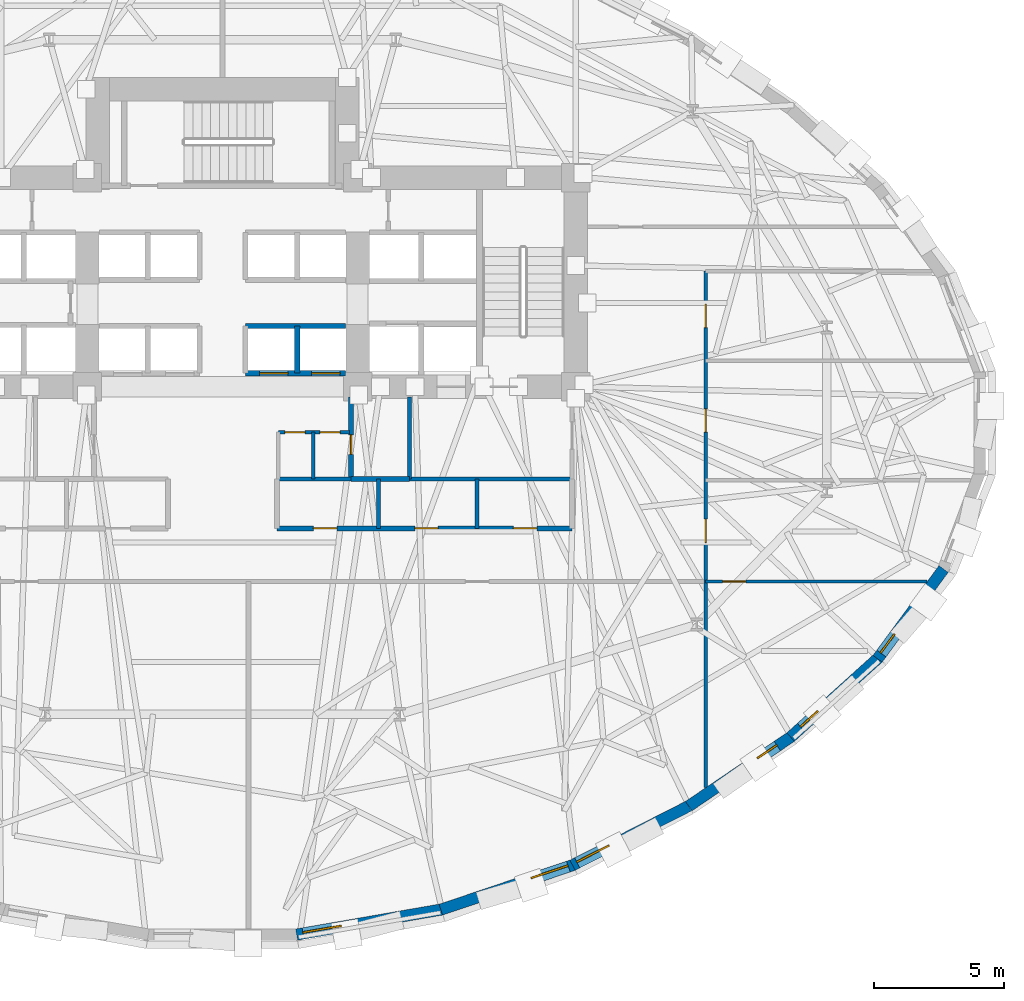
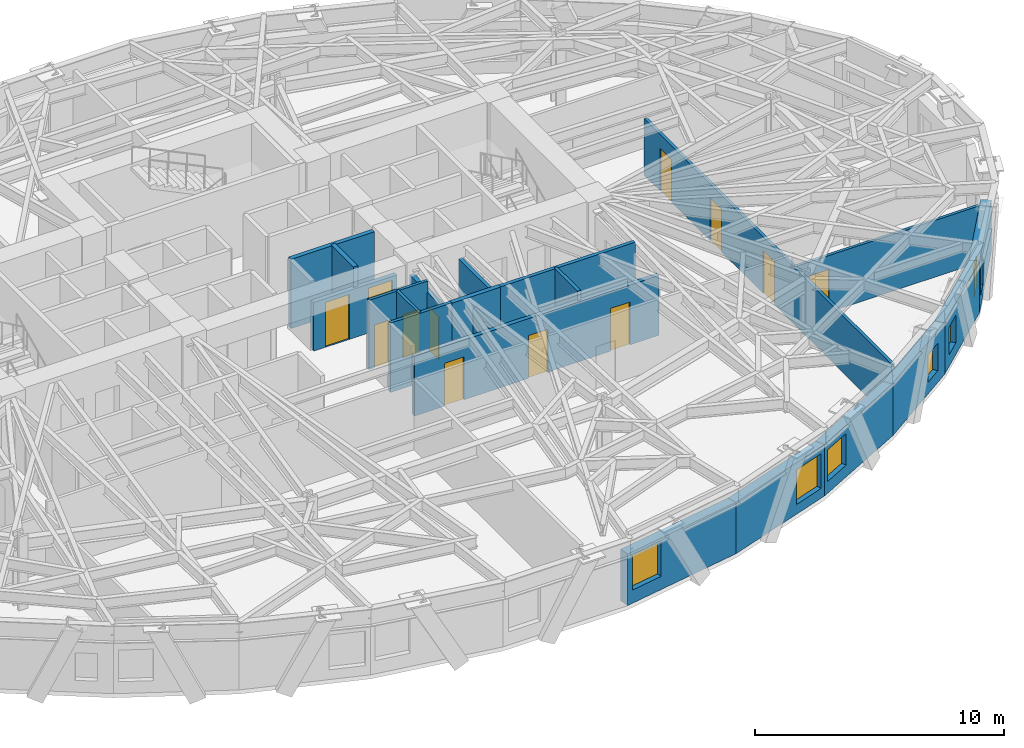
# One storey, part 8 of 14: 21 walls, 12 doors, 6 windows, 18 openings.
"""IFC4 building model written with IfcOpenShell, lengths in metres."""

from ifc_helpers import new_model, si_unit, direction, frame, frame_2d, origin, place, context, subcontext, project, spatial, rectangle, extrude, material, layer, layer_set, type_object, element, fill, save


model = new_model("IFC4")

# Units and contexts
model_context = context("Model", 3, precision=1e-05, world=origin(), true_north=direction((0.0, 1.0)))
body_context = subcontext(model_context, "Body", "Model", "MODEL_VIEW")
ifc_project = project(units=[si_unit("LENGTHUNIT", "METRE"), si_unit("AREAUNIT", "SQUARE_METRE"), si_unit("VOLUMEUNIT", "CUBIC_METRE"), si_unit("PLANEANGLEUNIT", "RADIAN"), si_unit("MASSUNIT", "GRAM", prefix="KILO")], contexts=[model_context])

# Site, building, storey
site_placement = place(None, origin())
site = spatial("IfcSite", under=ifc_project, at=site_placement, CompositionType="ELEMENT")
building_placement = place(site_placement, origin())
building = spatial("IfcBuilding", under=site, at=building_placement, Name="Keldmark Tower", CompositionType="ELEMENT")
storey_placement = place(building_placement, frame((0.0, 0.0, 63.0)))
storey = spatial("IfcBuildingStorey", under=building, at=storey_placement, Name="L16", CompositionType="ELEMENT", Elevation=63.0)

# Wall, openings, doors
ifc_material_1 = material(Name="Acoustic Double-Layer Gypsum Corridor Partition", Category="gypsum")
ifc_layer_1 = layer(ifc_material_1, 0.139892578125)
ifc_layer_set_1 = layer_set([ifc_layer_1], Name="Acoustic Double-Layer Gypsum Corridor Partition")
wall_type_1 = type_object("IfcWallType", Name="Acoustic Corridor Partition 140 mm", PredefinedType="PARTITIONING", material=ifc_layer_set_1)
wall_1_placement = place(storey_placement, frame((18.60009765625, -14.025390625, 0.0), z_axis=(0.0, 0.0, 1.0), x_axis=(0.0, 1.0, 0.0)))
wall_1 = element("IfcWall", 1, at=wall_1_placement, inside=storey, type_object=wall_type_1, Name="L16 Acoustic Corridor Partition 140 mm COR-E", PredefinedType="PARTITIONING", context=body_context, shape_type="SweptSolid", body=[
    extrude(rectangle(XDim=19.87548828125, YDim=0.139892578125, at=frame_2d((9.937744140625, 0.0))), origin(), (0.0, 0.0, 1.0), 2.779052734375),
])
opening_1_placement = place(wall_1_placement, frame((9.425537109375, 0.0, 0.0)))
opening_1 = element("IfcOpeningElement", 2, at=opening_1_placement, cuts=wall_1, Name="Opening D-IN090", PredefinedType="OPENING", context=body_context, shape_type="SweptSolid", body=[
    extrude(rectangle(XDim=0.89990234375, YDim=2.10009765625, at=frame_2d((0.449951171875, 1.050048828125))), frame((0.0, 0.079833984375, 0.0), z_axis=(0.0, -1.0, 0.0), x_axis=(1.0, 0.0, 0.0)), (0.0, 0.0, 1.0), 0.159912109375),
])
opening_2_placement = place(wall_1_placement, frame((13.675537109375, 0.0, 0.0)))
opening_2 = element("IfcOpeningElement", 3, at=opening_2_placement, cuts=wall_1, Name="Opening D-IN090", PredefinedType="OPENING", context=body_context, shape_type="SweptSolid", body=[
    extrude(rectangle(XDim=0.89990234375, YDim=2.10009765625, at=frame_2d((0.449951171875, 1.050048828125))), frame((0.0, 0.079833984375, 0.0), z_axis=(0.0, -1.0, 0.0), x_axis=(1.0, 0.0, 0.0)), (0.0, 0.0, 1.0), 0.159912109375),
])
opening_3_placement = place(wall_1_placement, frame((17.70068359375, 0.0, 0.0)))
opening_3 = element("IfcOpeningElement", 4, at=opening_3_placement, cuts=wall_1, Name="Opening D-IN090", PredefinedType="OPENING", context=body_context, shape_type="SweptSolid", body=[
    extrude(rectangle(XDim=0.89990234375, YDim=2.10009765625, at=frame_2d((0.449951171875, 1.050048828125))), frame((0.0, 0.079833984375, 0.0), z_axis=(0.0, -1.0, 0.0), x_axis=(1.0, 0.0, 0.0)), (0.0, 0.0, 1.0), 0.159912109375),
])
ifc_material_2 = material(Name="Stained American White Oak Veneer", Category="wood")
door_type_1 = type_object("IfcDoorType", Name="Interior Door 900x2100", OperationType="NOTDEFINED", PredefinedType="DOOR", material=ifc_material_2)
door_1_placement = place(opening_1_placement, origin())
door_1 = element("IfcDoor", 5, at=door_1_placement, inside=storey, type_object=door_type_1, Name="L16 Interior Door 900x2100 D-ER-1-L16", OperationType="SINGLE_SWING_RIGHT", OverallHeight=2.10009765625, OverallWidth=0.89990234375, PredefinedType="DOOR", context=body_context, shape_type="SweptSolid", body=[
    extrude(rectangle(XDim=0.89990234375, YDim=2.10009765625, at=frame_2d((0.449951171875, 1.050048828125))), frame((0.0, 0.02490234375, 0.0), z_axis=(0.0, -1.0, 0.0), x_axis=(1.0, 0.0, 0.0)), (0.0, 0.0, 1.0), 0.050048828125),
])
fill(opening_1, door_1)
door_2_placement = place(opening_2_placement, origin())
door_2 = element("IfcDoor", 6, at=door_2_placement, inside=storey, type_object=door_type_1, Name="L16 Interior Door 900x2100 D-ER-2-L16", OperationType="SINGLE_SWING_LEFT", OverallHeight=2.10009765625, OverallWidth=0.89990234375, PredefinedType="DOOR", context=body_context, shape_type="SweptSolid", body=[
    extrude(rectangle(XDim=0.89990234375, YDim=2.10009765625, at=frame_2d((0.449951171875, 1.050048828125))), frame((0.0, 0.02490234375, 0.0), z_axis=(0.0, -1.0, 0.0), x_axis=(1.0, 0.0, 0.0)), (0.0, 0.0, 1.0), 0.050048828125),
])
fill(opening_2, door_2)
door_3_placement = place(opening_3_placement, origin())
door_3 = element("IfcDoor", 7, at=door_3_placement, inside=storey, type_object=door_type_1, Name="L16 Interior Door 900x2100 D-ER-3-L16", OperationType="SINGLE_SWING_RIGHT", OverallHeight=2.10009765625, OverallWidth=0.89990234375, PredefinedType="DOOR", context=body_context, shape_type="SweptSolid", body=[
    extrude(rectangle(XDim=0.89990234375, YDim=2.10009765625, at=frame_2d((0.449951171875, 1.050048828125))), frame((0.0, 0.02490234375, 0.0), z_axis=(0.0, -1.0, 0.0), x_axis=(1.0, 0.0, 0.0)), (0.0, 0.0, 1.0), 0.050048828125),
])
fill(opening_3, door_3)

ifc_material_3 = material(Name="Heavy Acoustic Plumbing Chase Gypsum Assembly", Category="gypsum")
ifc_layer_2 = layer(ifc_material_3, 0.18994140625)
ifc_layer_set_2 = layer_set([ifc_layer_2], Name="Heavy Acoustic Plumbing Chase Gypsum Assembly")
wall_type_2 = type_object("IfcWallType", Name="Heavy Wet Wall 190 mm", PredefinedType="PLUMBINGWALL", material=ifc_layer_set_2)
wall_2_placement = place(storey_placement, frame((2.10009765625, -4.050048828125, 0.0), z_axis=(0.0, 0.0, 1.0), x_axis=(1.0, 0.0, 0.0)))
wall_2 = element("IfcWall", 8, at=wall_2_placement, inside=storey, type_object=wall_type_2, Name="L16 Heavy Wet Wall 190 mm SPK-E-S", PredefinedType="PLUMBINGWALL", context=body_context, shape_type="SweptSolid", body=[
    extrude(rectangle(XDim=11.349853515625, YDim=0.18994140625, at=frame_2d((5.6748046875, 0.0))), origin(), (0.0, 0.0, 1.0), 2.93310546875),
])
opening_4_placement = place(wall_2_placement, frame((1.39990234375, 0.0, 0.0)))
opening_4 = element("IfcOpeningElement", 9, at=opening_4_placement, cuts=wall_2, Name="Opening D-IN090", PredefinedType="OPENING", context=body_context, shape_type="SweptSolid", body=[
    extrude(rectangle(XDim=0.89990234375, YDim=2.10009765625, at=frame_2d((0.449951171875, 1.050048828125))), frame((0.0, 0.10498046875, 0.0), z_axis=(0.0, -1.0, 0.0), x_axis=(1.0, 0.0, 0.0)), (0.0, 0.0, 1.0), 0.2099609375),
])
opening_5_placement = place(wall_2_placement, frame((5.300048828125, 0.0, 0.0)))
opening_5 = element("IfcOpeningElement", 10, at=opening_5_placement, cuts=wall_2, Name="Opening D-IN090", PredefinedType="OPENING", context=body_context, shape_type="SweptSolid", body=[
    extrude(rectangle(XDim=0.89990234375, YDim=2.10009765625, at=frame_2d((0.449951171875, 1.050048828125))), frame((0.0, 0.10498046875, 0.0), z_axis=(0.0, -1.0, 0.0), x_axis=(1.0, 0.0, 0.0)), (0.0, 0.0, 1.0), 0.2099609375),
])
opening_6_placement = place(wall_2_placement, frame((9.10009765625, 0.0, 0.0)))
opening_6 = element("IfcOpeningElement", 11, at=opening_6_placement, cuts=wall_2, Name="Opening D-IN090", PredefinedType="OPENING", context=body_context, shape_type="SweptSolid", body=[
    extrude(rectangle(XDim=0.89990234375, YDim=2.10009765625, at=frame_2d((0.449951171875, 1.050048828125))), frame((0.0, 0.10498046875, 0.0), z_axis=(0.0, -1.0, 0.0), x_axis=(1.0, 0.0, 0.0)), (0.0, 0.0, 1.0), 0.2099609375),
])
door_4_placement = place(opening_4_placement, origin())
door_4 = element("IfcDoor", 12, at=door_4_placement, inside=storey, type_object=door_type_1, Name="L16 Interior Door 900x2100 D-SPKE1-L16", OperationType="SINGLE_SWING_RIGHT", OverallHeight=2.10009765625, OverallWidth=0.89990234375, PredefinedType="DOOR", context=body_context, shape_type="SweptSolid", body=[
    extrude(rectangle(XDim=0.89990234375, YDim=2.10009765625, at=frame_2d((0.449951171875, 1.050048828125))), frame((0.0, 0.02490234375, 0.0), z_axis=(0.0, -1.0, 0.0), x_axis=(1.0, 0.0, 0.0)), (0.0, 0.0, 1.0), 0.050048828125),
])
fill(opening_4, door_4)
door_5_placement = place(opening_5_placement, origin())
door_5 = element("IfcDoor", 13, at=door_5_placement, inside=storey, type_object=door_type_1, Name="L16 Interior Door 900x2100 D-SPKE2-L16", OperationType="SINGLE_SWING_LEFT", OverallHeight=2.10009765625, OverallWidth=0.89990234375, PredefinedType="DOOR", context=body_context, shape_type="SweptSolid", body=[
    extrude(rectangle(XDim=0.89990234375, YDim=2.10009765625, at=frame_2d((0.449951171875, 1.050048828125))), frame((0.0, 0.02490234375, 0.0), z_axis=(0.0, -1.0, 0.0), x_axis=(1.0, 0.0, 0.0)), (0.0, 0.0, 1.0), 0.050048828125),
])
fill(opening_5, door_5)
door_6_placement = place(opening_6_placement, origin())
door_6 = element("IfcDoor", 14, at=door_6_placement, inside=storey, type_object=door_type_1, Name="L16 Interior Door 900x2100 D-SPKE3-L16", OperationType="SINGLE_SWING_RIGHT", OverallHeight=2.10009765625, OverallWidth=0.89990234375, PredefinedType="DOOR", context=body_context, shape_type="SweptSolid", body=[
    extrude(rectangle(XDim=0.89990234375, YDim=2.10009765625, at=frame_2d((0.449951171875, 1.050048828125))), frame((0.0, 0.02490234375, 0.0), z_axis=(0.0, -1.0, 0.0), x_axis=(1.0, 0.0, 0.0)), (0.0, 0.0, 1.0), 0.050048828125),
])
fill(opening_6, door_6)

ifc_material_4 = material(Name="Acoustic Gypsum Board Interior Partition", Category="gypsum")
ifc_layer_3 = layer(ifc_material_4, 0.1298828125)
ifc_layer_set_3 = layer_set([ifc_layer_3], Name="Acoustic Gypsum Board Interior Partition")
wall_type_3 = type_object("IfcWallType", Name="Interior Partition 130 mm", PredefinedType="PARTITIONING", material=ifc_layer_set_3)
wall_3_placement = place(storey_placement, frame((2.14990234375, -0.35009765625, 0.0), z_axis=(0.0, 0.0, 1.0), x_axis=(1.0, 0.0, 0.0)))
wall_3 = element("IfcWall", 15, at=wall_3_placement, inside=storey, type_object=wall_type_3, Name="L16 Interior Partition 130 mm CSC-E-N", PredefinedType="PARTITIONING", context=body_context, shape_type="SweptSolid", body=[
    extrude(rectangle(XDim=2.72998046875, YDim=0.1298828125, at=frame_2d((1.364990234375, 0.0))), origin(), (0.0, 0.0, 1.0), 3.39990234375),
])
opening_7_placement = place(wall_3_placement, frame((0.25, 0.0, 0.0)))
opening_7 = element("IfcOpeningElement", 16, at=opening_7_placement, cuts=wall_3, Name="Opening D-CL078", PredefinedType="OPENING", context=body_context, shape_type="SweptSolid", body=[
    extrude(rectangle(XDim=0.780029296875, YDim=2.10009765625, at=frame_2d((0.39013671875, 1.050048828125))), frame((0.0, 0.074951171875, 0.0), z_axis=(0.0, -1.0, 0.0), x_axis=(1.0, 0.0, 0.0)), (0.0, 0.0, 1.0), 0.14990234375),
])
opening_8_placement = place(wall_3_placement, frame((1.60009765625, 0.0, 0.0)))
opening_8 = element("IfcOpeningElement", 17, at=opening_8_placement, cuts=wall_3, Name="Opening D-CL078", PredefinedType="OPENING", context=body_context, shape_type="SweptSolid", body=[
    extrude(rectangle(XDim=0.780029296875, YDim=2.10009765625, at=frame_2d((0.39013671875, 1.050048828125))), frame((0.0, 0.074951171875, 0.0), z_axis=(0.0, -1.0, 0.0), x_axis=(1.0, 0.0, 0.0)), (0.0, 0.0, 1.0), 0.14990234375),
])
ifc_material_5 = material(Name="Flush Utility Closet Timber Door", Category="wood")
door_type_2 = type_object("IfcDoorType", Name="Closet Door 780x2100", OperationType="NOTDEFINED", PredefinedType="DOOR", material=ifc_material_5)
door_7_placement = place(opening_7_placement, origin())
door_7 = element("IfcDoor", 18, at=door_7_placement, inside=storey, type_object=door_type_2, Name="L16 Closet Door 780x2100 D-CSCE1-L16", OperationType="SINGLE_SWING_LEFT", OverallHeight=2.10009765625, OverallWidth=0.780029296875, PredefinedType="DOOR", context=body_context, shape_type="SweptSolid", body=[
    extrude(rectangle(XDim=0.780029296875, YDim=2.10009765625, at=frame_2d((0.39013671875, 1.050048828125))), frame((0.0, 0.02490234375, 0.0), z_axis=(0.0, -1.0, 0.0), x_axis=(1.0, 0.0, 0.0)), (0.0, 0.0, 1.0), 0.050048828125),
])
fill(opening_7, door_7)
door_8_placement = place(opening_8_placement, origin())
door_8 = element("IfcDoor", 19, at=door_8_placement, inside=storey, type_object=door_type_2, Name="L16 Closet Door 780x2100 D-CSCE2-L16", OperationType="SINGLE_SWING_RIGHT", OverallHeight=2.10009765625, OverallWidth=0.780029296875, PredefinedType="DOOR", context=body_context, shape_type="SweptSolid", body=[
    extrude(rectangle(XDim=0.780029296875, YDim=2.10009765625, at=frame_2d((0.39013671875, 1.050048828125))), frame((0.0, 0.02490234375, 0.0), z_axis=(0.0, -1.0, 0.0), x_axis=(1.0, 0.0, 0.0)), (0.0, 0.0, 1.0), 0.050048828125),
])
fill(opening_8, door_8)

# Wall
wall_4_placement = place(storey_placement, frame((3.5, -2.14990234375, 0.0), z_axis=(0.0, 0.0, 1.0), x_axis=(0.0, 1.0, 0.0)))
element("IfcWall", 20, at=wall_4_placement, inside=storey, type_object=wall_type_3, Name="L16 Interior Partition 130 mm CSC-E-M", PredefinedType="PARTITIONING", context=body_context, shape_type="SweptSolid", body=[
    extrude(rectangle(XDim=1.7998046875, YDim=0.1298828125, at=frame_2d((0.89990234375, 0.0))), origin(), (0.0, 0.0, 1.0), 3.39990234375),
])

# Wall, opening, door
wall_5_placement = place(storey_placement, frame((18.60009765625, -6.10009765625, 0.0), z_axis=(0.0, 0.0, 1.0), x_axis=(1.0, 0.0, 0.0)))
wall_5 = element("IfcWall", 21, at=wall_5_placement, inside=storey, type_object=wall_type_3, Name="L16 Interior Partition 130 mm E-CAP-S", PredefinedType="PARTITIONING", context=body_context, shape_type="SweptSolid", body=[
    extrude(rectangle(XDim=8.517333984375, YDim=0.1298828125, at=frame_2d((4.2587890625, 0.0))), origin(), (0.0, 0.0, 1.0), 2.779052734375),
])
opening_9_placement = place(wall_5_placement, frame((0.64990234375, 0.0, 0.0)))
opening_9 = element("IfcOpeningElement", 22, at=opening_9_placement, cuts=wall_5, Name="Opening D-IN090", PredefinedType="OPENING", context=body_context, shape_type="SweptSolid", body=[
    extrude(rectangle(XDim=0.89990234375, YDim=2.10009765625, at=frame_2d((0.449951171875, 1.050048828125))), frame((0.0, 0.074951171875, 0.0), z_axis=(0.0, -1.0, 0.0), x_axis=(1.0, 0.0, 0.0)), (0.0, 0.0, 1.0), 0.14990234375),
])
door_9_placement = place(opening_9_placement, origin())
door_9 = element("IfcDoor", 23, at=door_9_placement, inside=storey, type_object=door_type_1, Name="L16 Interior Door 900x2100 D-ERSE-L16", OperationType="SINGLE_SWING_RIGHT", OverallHeight=2.10009765625, OverallWidth=0.89990234375, PredefinedType="DOOR", context=body_context, shape_type="SweptSolid", body=[
    extrude(rectangle(XDim=0.89990234375, YDim=2.10009765625, at=frame_2d((0.449951171875, 1.050048828125))), frame((0.0, 0.02490234375, 0.0), z_axis=(0.0, -1.0, 0.0), x_axis=(1.0, 0.0, 0.0)), (0.0, 0.0, 1.0), 0.050048828125),
])
fill(opening_9, door_9)

# Walls
ifc_material_6 = material(Name="Type X Fire-Rated Gypsum Partition Assembly", Category="gypsum")
ifc_layer_4 = layer(ifc_material_6, 0.1650390625)
ifc_layer_set_4 = layer_set([ifc_layer_4], Name="Type X Fire-Rated Gypsum Partition Assembly")
wall_type_4 = type_object("IfcWallType", Name="Rated Partition 165 mm", PredefinedType="PARTITIONING", material=ifc_layer_set_4)
wall_6_placement = place(storey_placement, frame((7.199951171875, -2.14990234375, 0.0), z_axis=(0.0, 0.0, 1.0), x_axis=(1.0, 0.0, 0.0)))
element("IfcWall", 24, at=wall_6_placement, inside=storey, type_object=wall_type_4, Name="L16 Rated Partition 165 mm FSAE-E-S", PredefinedType="PARTITIONING", context=body_context, shape_type="SweptSolid", body=[
    extrude(rectangle(XDim=6.25, YDim=0.1650390625, at=frame_2d((3.125, 0.0))), origin(), (0.0, 0.0, 1.0), 3.39990234375),
])
wall_7_placement = place(storey_placement, frame((7.199951171875, -2.14990234375, 0.0), z_axis=(0.0, 0.0, 1.0), x_axis=(0.0, 1.0, 0.0)))
element("IfcWall", 25, at=wall_7_placement, inside=storey, type_object=wall_type_4, Name="L16 Rated Partition 165 mm FSAE-E-W", PredefinedType="PARTITIONING", context=body_context, shape_type="SweptSolid", body=[
    extrude(rectangle(XDim=3.14990234375, YDim=0.1650390625, at=frame_2d((1.574951171875, 0.0))), origin(), (0.0, 0.0, 1.0), 2.85302734375),
])
ifc_material_7 = material(Name="Fire-Resistant Type X Gypsum Shaftliner Coreboard", Category="gypsum")
ifc_layer_5 = layer(ifc_material_7, 0.199951171875)
ifc_layer_set_5 = layer_set([ifc_layer_5], Name="Fire-Resistant Type X Gypsum Shaftliner Coreboard")
wall_type_5 = type_object("IfcWallType", Name="Shaft Wall 200 mm", PredefinedType="SOLIDWALL", material=ifc_layer_set_5)
wall_8_placement = place(storey_placement, frame((4.949951171875, -2.14990234375, 0.0), z_axis=(0.0, 0.0, 1.0), x_axis=(1.0, 0.0, 0.0)))
element("IfcWall", 26, at=wall_8_placement, inside=storey, type_object=wall_type_5, Name="L16 Shaft Wall 200 mm RIS-SE-S", PredefinedType="SOLIDWALL", context=body_context, shape_type="SweptSolid", body=[
    extrude(rectangle(XDim=2.25, YDim=0.199951171875, at=frame_2d((1.125, 0.0))), origin(), (0.0, 0.0, 1.0), 3.39990234375),
])

# Wall, opening, door
wall_9_placement = place(storey_placement, frame((4.949951171875, -2.14990234375, 0.0), z_axis=(0.0, 0.0, 1.0), x_axis=(0.0, 1.0, 0.0)))
wall_9 = element("IfcWall", 27, at=wall_9_placement, inside=storey, type_object=wall_type_5, Name="L16 Shaft Wall 200 mm RIS-SE-W", PredefinedType="SOLIDWALL", context=body_context, shape_type="SweptSolid", body=[
    extrude(rectangle(XDim=3.14990234375, YDim=0.199951171875, at=frame_2d((1.574951171875, 0.0))), origin(), (0.0, 0.0, 1.0), 2.85302734375),
])
opening_10_placement = place(wall_9_placement, frame((0.949951171875, 0.0, 0.0)))
opening_10 = element("IfcOpeningElement", 28, at=opening_10_placement, cuts=wall_9, Name="Opening D-RS075", PredefinedType="OPENING", context=body_context, shape_type="SweptSolid", body=[
    extrude(rectangle(XDim=0.75, YDim=2.10009765625, at=frame_2d((0.375, 1.050048828125))), frame((0.0, 0.10986328125, 0.0), z_axis=(0.0, -1.0, 0.0), x_axis=(1.0, 0.0, 0.0)), (0.0, 0.0, 1.0), 0.219970703125),
])
ifc_material_8 = material(Name="Galvanized Fire-Rated Access Leaf", Category="metal")
door_type_3 = type_object("IfcDoorType", Name="Riser Access Door 750x2100", OperationType="NOTDEFINED", PredefinedType="DOOR", material=ifc_material_8)
door_10_placement = place(opening_10_placement, origin())
door_10 = element("IfcDoor", 29, at=door_10_placement, inside=storey, type_object=door_type_3, Name="L16 Riser Access Door 750x2100 D-RISSE-L16", OperationType="SINGLE_SWING_LEFT", OverallHeight=2.10009765625, OverallWidth=0.75, PredefinedType="DOOR", context=body_context, shape_type="SweptSolid", body=[
    extrude(rectangle(XDim=0.75, YDim=2.10009765625, at=frame_2d((0.375, 1.050048828125))), frame((0.0, 0.02490234375, 0.0), z_axis=(0.0, -1.0, 0.0), x_axis=(1.0, 0.0, 0.0)), (0.0, 0.0, 1.0), 0.050048828125),
])
fill(opening_10, door_10)

# Wall, openings, doors
wall_10_placement = place(storey_placement, frame((0.8798828125, 1.919921875, 0.0), z_axis=(0.0, 0.0, 1.0), x_axis=(1.0, 0.0, 0.0)))
wall_10 = element("IfcWall", 30, at=wall_10_placement, inside=storey, type_object=wall_type_5, Name="L16 Shaft Wall 200 mm LOW-S-E", PredefinedType="SOLIDWALL", context=body_context, shape_type="SweptSolid", body=[
    extrude(rectangle(XDim=3.860107421875, YDim=0.199951171875, at=frame_2d((1.93017578125, 0.0))), origin(), (0.0, 0.0, 1.0), 2.389892578125),
])
opening_11_placement = place(wall_10_placement, frame((0.550048828125, 0.0, 0.0)))
opening_11 = element("IfcOpeningElement", 31, at=opening_11_placement, cuts=wall_10, Name="Opening LD-110", PredefinedType="OPENING", context=body_context, shape_type="SweptSolid", body=[
    extrude(rectangle(XDim=1.10009765625, YDim=2.199951171875, at=frame_2d((0.550048828125, 1.10009765625))), frame((0.0, 0.10986328125, 0.0), z_axis=(0.0, -1.0, 0.0), x_axis=(1.0, 0.0, 0.0)), (0.0, 0.0, 1.0), 0.219970703125),
])
opening_12_placement = place(wall_10_placement, frame((2.550048828125, 0.0, 0.0)))
opening_12 = element("IfcOpeningElement", 32, at=opening_12_placement, cuts=wall_10, Name="Opening LD-110", PredefinedType="OPENING", context=body_context, shape_type="SweptSolid", body=[
    extrude(rectangle(XDim=1.10009765625, YDim=2.199951171875, at=frame_2d((0.550048828125, 1.10009765625))), frame((0.0, 0.10986328125, 0.0), z_axis=(0.0, -1.0, 0.0), x_axis=(1.0, 0.0, 0.0)), (0.0, 0.0, 1.0), 0.219970703125),
])
ifc_material_9 = material(Name="Brushed Bronze Hoistway Sliding Leaf", Category="metal")
door_type_4 = type_object("IfcDoorType", Name="Lift Landing Sliding Door 1100x2200", OperationType="SLIDING_TO_LEFT", PredefinedType="DOOR", material=ifc_material_9)
door_11_placement = place(opening_11_placement, origin())
door_11 = element("IfcDoor", 33, at=door_11_placement, inside=storey, type_object=door_type_4, Name="L16 Lift Landing Sliding Door 1100x2200 LD-EL-L3-L16", OperationType="SLIDING_TO_LEFT", OverallHeight=2.199951171875, OverallWidth=1.10009765625, PredefinedType="DOOR", context=body_context, shape_type="SweptSolid", body=[
    extrude(rectangle(XDim=1.10009765625, YDim=2.199951171875, at=frame_2d((0.550048828125, 1.10009765625))), frame((0.0, 0.02490234375, 0.0), z_axis=(0.0, -1.0, 0.0), x_axis=(1.0, 0.0, 0.0)), (0.0, 0.0, 1.0), 0.050048828125),
])
fill(opening_11, door_11)
door_12_placement = place(opening_12_placement, origin())
door_12 = element("IfcDoor", 34, at=door_12_placement, inside=storey, type_object=door_type_4, Name="L16 Lift Landing Sliding Door 1100x2200 LD-EL-L4-L16", OperationType="SLIDING_TO_LEFT", OverallHeight=2.199951171875, OverallWidth=1.10009765625, PredefinedType="DOOR", context=body_context, shape_type="SweptSolid", body=[
    extrude(rectangle(XDim=1.10009765625, YDim=2.199951171875, at=frame_2d((0.550048828125, 1.10009765625))), frame((0.0, 0.02490234375, 0.0), z_axis=(0.0, -1.0, 0.0), x_axis=(1.0, 0.0, 0.0)), (0.0, 0.0, 1.0), 0.050048828125),
])
fill(opening_12, door_12)

# Walls
wall_11_placement = place(storey_placement, frame((0.8798828125, 3.739990234375, 0.0), z_axis=(0.0, 0.0, 1.0), x_axis=(1.0, 0.0, 0.0)))
element("IfcWall", 35, at=wall_11_placement, inside=storey, type_object=wall_type_5, Name="L16 Shaft Wall 200 mm LOW-N-E", PredefinedType="SOLIDWALL", context=body_context, shape_type="SweptSolid", body=[
    extrude(rectangle(XDim=3.860107421875, YDim=0.199951171875, at=frame_2d((1.93017578125, 0.0))), origin(), (0.0, 0.0, 1.0), 3.39990234375),
])
wall_12_placement = place(storey_placement, frame((2.8798828125, 1.919921875, 0.0), z_axis=(0.0, 0.0, 1.0), x_axis=(0.0, 1.0, 0.0)))
element("IfcWall", 36, at=wall_12_placement, inside=storey, type_object=wall_type_5, Name="L16 Shaft Wall 200 mm LOW-M-E", PredefinedType="SOLIDWALL", context=body_context, shape_type="SweptSolid", body=[
    extrude(rectangle(XDim=1.820068359375, YDim=0.199951171875, at=frame_2d((0.91015625, 0.0))), origin(), (0.0, 0.0, 1.0), 3.39990234375),
])

# Wall, opening, window
ifc_material_10 = material(Name="Ironspot Manganese Brick and Kasota Buff Limestone Spandrel Assembly", Category="masonry")
ifc_layer_6 = layer(ifc_material_10, 0.43994140625)
ifc_layer_set_6 = layer_set([ifc_layer_6], Name="Ironspot Manganese Brick and Kasota Buff Limestone Spandrel Assembly")
wall_type_6 = type_object("IfcWallType", Name="Tower Brick Pier and Spandrel Wall 440 mm", PredefinedType="STANDARD", material=ifc_layer_set_6)
wall_13_placement = place(storey_placement, frame((8.436279296875, -18.722900390625, 0.0), z_axis=(0.0, 0.0, 1.0), x_axis=(-0.985308697227, -0.170782818716, 0.0)))
wall_13 = element("IfcWall", 37, at=wall_13_placement, inside=storey, type_object=wall_type_6, Name="L16 Exterior Brick and Spandrel Wall 25", PredefinedType="STANDARD", context=body_context, shape_type="SweptSolid", body=[
    extrude(rectangle(XDim=5.665283203125, YDim=0.43994140625, at=frame_2d((2.83251953125, 0.0))), origin(), (0.0, 0.0, 1.0), 2.529052734375),
])
opening_13_placement = place(wall_13_placement, frame((3.915771484375, 0.0, 0.64990234375)))
opening_13 = element("IfcOpeningElement", 38, at=opening_13_placement, cuts=wall_13, Name="Opening W-03", PredefinedType="OPENING", context=body_context, shape_type="SweptSolid", body=[
    extrude(rectangle(XDim=1.5, YDim=1.699951171875, at=frame_2d((0.75, 0.85009765625))), frame((0.0, 0.22998046875, 0.0), z_axis=(0.0, -1.0, 0.0), x_axis=(1.0, 0.0, 0.0)), (0.0, 0.0, 1.0), 0.4599609375),
])
ifc_material_11 = material(Name="Thermally Broken Anodized Aluminum and Triple Low-E Argon Glazing", Category="aluminium")
window_type_1 = type_object("IfcWindowType", Name="Office Corner Deep-Set Window 1500x1700", PartitioningType="DOUBLE_PANEL_VERTICAL", PredefinedType="WINDOW", material=ifc_material_11)
window_1_placement = place(opening_13_placement, origin())
window_1 = element("IfcWindow", 39, at=window_1_placement, inside=storey, type_object=window_type_1, Name="L16 Deep-Set Window 25", OverallHeight=1.699951171875, OverallWidth=1.5, PartitioningType="SINGLE_PANEL", PredefinedType="WINDOW", context=body_context, shape_type="SweptSolid", body=[
    extrude(rectangle(XDim=1.5, YDim=1.699951171875, at=frame_2d((0.75, 0.85009765625))), frame((0.0, -0.010009765625, 0.0), z_axis=(0.0, -1.0, 0.0), x_axis=(1.0, 0.0, 0.0)), (0.0, 0.0, 1.0), 0.06005859375),
])
fill(opening_13, window_1)

wall_14_placement = place(storey_placement, frame((13.50244140625, -17.00830078125, 0.0), z_axis=(0.0, 0.0, 1.0), x_axis=(-0.947368862969, -0.320144088616, 0.0)))
wall_14 = element("IfcWall", 40, at=wall_14_placement, inside=storey, type_object=wall_type_6, Name="L16 Exterior Brick and Spandrel Wall 26", PredefinedType="STANDARD", context=body_context, shape_type="SweptSolid", body=[
    extrude(rectangle(XDim=5.38232421875, YDim=0.43994140625, at=frame_2d((2.691162109375, 0.0))), origin(), (0.0, 0.0, 1.0), 2.529052734375),
])
opening_14_placement = place(wall_14_placement, frame((0.199951171875, 0.0, 0.47998046875)))
opening_14 = element("IfcOpeningElement", 41, at=opening_14_placement, cuts=wall_14, Name="Opening W-03", PredefinedType="OPENING", context=body_context, shape_type="SweptSolid", body=[
    extrude(rectangle(XDim=1.5, YDim=1.699951171875, at=frame_2d((0.75, 0.85009765625))), frame((0.0, 0.22998046875, 0.0), z_axis=(0.0, -1.0, 0.0), x_axis=(1.0, 0.0, 0.0)), (0.0, 0.0, 1.0), 0.4599609375),
])
window_2_placement = place(opening_14_placement, origin())
window_2 = element("IfcWindow", 42, at=window_2_placement, inside=storey, type_object=window_type_1, Name="L16 Deep-Set Window 26", OverallHeight=1.699951171875, OverallWidth=1.5, PartitioningType="SINGLE_PANEL", PredefinedType="WINDOW", context=body_context, shape_type="SweptSolid", body=[
    extrude(rectangle(XDim=1.5, YDim=1.699951171875, at=frame_2d((0.75, 0.85009765625))), frame((0.0, -0.010009765625, 0.0), z_axis=(0.0, -1.0, 0.0), x_axis=(1.0, 0.0, 0.0)), (0.0, 0.0, 1.0), 0.06005859375),
])
fill(opening_14, window_2)

wall_15_placement = place(storey_placement, frame((17.96826171875, -14.731201171875, 0.0), z_axis=(0.0, 0.0, 1.0), x_axis=(-0.891072734441, -0.45386053137, 0.0)))
wall_15 = element("IfcWall", 43, at=wall_15_placement, inside=storey, type_object=wall_type_6, Name="L16 Exterior Brick and Spandrel Wall 27", PredefinedType="STANDARD", context=body_context, shape_type="SweptSolid", body=[
    extrude(rectangle(XDim=5.044677734375, YDim=0.43994140625, at=frame_2d((2.5224609375, 0.0))), origin(), (0.0, 0.0, 1.0), 2.529052734375),
])
opening_15_placement = place(wall_15_placement, frame((3.444580078125, 0.0, 0.580078125)))
opening_15 = element("IfcOpeningElement", 44, at=opening_15_placement, cuts=wall_15, Name="Opening W-08", PredefinedType="OPENING", context=body_context, shape_type="SweptSolid", body=[
    extrude(rectangle(XDim=1.39990234375, YDim=1.550048828125, at=frame_2d((0.699951171875, 0.77490234375))), frame((0.0, 0.22998046875, 0.0), z_axis=(0.0, -1.0, 0.0), x_axis=(1.0, 0.0, 0.0)), (0.0, 0.0, 1.0), 0.4599609375),
])
ifc_material_12 = material(Name="Thermally Broken Anodized Aluminum and Triple Low-E Argon Glazing", Category="aluminium")
window_type_2 = type_object("IfcWindowType", Name="Residential Corner Punched Window 1400x1550", PartitioningType="SINGLE_PANEL", PredefinedType="WINDOW", material=ifc_material_12)
window_3_placement = place(opening_15_placement, origin())
window_3 = element("IfcWindow", 45, at=window_3_placement, inside=storey, type_object=window_type_2, Name="L16 Deep-Set Window 27", OverallHeight=1.550048828125, OverallWidth=1.39990234375, PartitioningType="SINGLE_PANEL", PredefinedType="WINDOW", context=body_context, shape_type="SweptSolid", body=[
    extrude(rectangle(XDim=1.39990234375, YDim=1.550048828125, at=frame_2d((0.699951171875, 0.77490234375))), frame((0.0, -0.010009765625, 0.0), z_axis=(0.0, -1.0, 0.0), x_axis=(1.0, 0.0, 0.0)), (0.0, 0.0, 1.0), 0.06005859375),
])
fill(opening_15, window_3)

wall_16_placement = place(storey_placement, frame((21.892578125, -12.068359375, 0.0), z_axis=(0.0, 0.0, 1.0), x_axis=(-0.827693991977, -0.561179699959, 0.0)))
wall_16 = element("IfcWall", 46, at=wall_16_placement, inside=storey, type_object=wall_type_6, Name="L16 Exterior Brick and Spandrel Wall 28", PredefinedType="STANDARD", context=body_context, shape_type="SweptSolid", body=[
    extrude(rectangle(XDim=4.769775390625, YDim=0.43994140625, at=frame_2d((2.384765625, 0.0))), origin(), (0.0, 0.0, 1.0), 2.529052734375),
])
opening_16_placement = place(wall_16_placement, frame((0.64599609375, 0.0, 0.580078125)))
opening_16 = element("IfcOpeningElement", 47, at=opening_16_placement, cuts=wall_16, Name="Opening W-09", PredefinedType="OPENING", context=body_context, shape_type="SweptSolid", body=[
    extrude(rectangle(XDim=0.89990234375, YDim=1.35009765625, at=frame_2d((0.449951171875, 0.675048828125))), frame((0.0, 0.22998046875, 0.0), z_axis=(0.0, -1.0, 0.0), x_axis=(1.0, 0.0, 0.0)), (0.0, 0.0, 1.0), 0.4599609375),
])
ifc_material_13 = material(Name="Thermally Broken Anodized Aluminum and Triple Low-E Argon Glazing", Category="aluminium")
window_type_3 = type_object("IfcWindowType", Name="Corner Pier Deep-Set Window 900x1350", PartitioningType="SINGLE_PANEL", PredefinedType="WINDOW", material=ifc_material_13)
window_4_placement = place(opening_16_placement, origin())
window_4 = element("IfcWindow", 48, at=window_4_placement, inside=storey, type_object=window_type_3, Name="L16 Deep-Set Window 28", OverallHeight=1.35009765625, OverallWidth=0.89990234375, PartitioningType="SINGLE_PANEL", PredefinedType="WINDOW", context=body_context, shape_type="SweptSolid", body=[
    extrude(rectangle(XDim=0.89990234375, YDim=1.35009765625, at=frame_2d((0.449951171875, 0.675048828125))), frame((0.0, -0.010009765625, 0.0), z_axis=(0.0, -1.0, 0.0), x_axis=(1.0, 0.0, 0.0)), (0.0, 0.0, 1.0), 0.06005859375),
])
fill(opening_16, window_4)

wall_17_placement = place(storey_placement, frame((25.24560546875, -9.039306640625, 0.0), z_axis=(0.0, 0.0, 1.0), x_axis=(-0.742354052059, -0.670007806963, 0.0)))
wall_17 = element("IfcWall", 49, at=wall_17_placement, inside=storey, type_object=wall_type_6, Name="L16 Exterior Brick and Spandrel Wall 29", PredefinedType="STANDARD", context=body_context, shape_type="SweptSolid", body=[
    extrude(rectangle(XDim=4.549072265625, YDim=0.43994140625, at=frame_2d((2.2744140625, 0.0))), origin(), (0.0, 0.0, 1.0), 2.529052734375),
])
opening_17_placement = place(wall_17_placement, frame((3.09912109375, 0.0, 0.580078125)))
opening_17 = element("IfcOpeningElement", 50, at=opening_17_placement, cuts=wall_17, Name="Opening W-09", PredefinedType="OPENING", context=body_context, shape_type="SweptSolid", body=[
    extrude(rectangle(XDim=0.89990234375, YDim=1.35009765625, at=frame_2d((0.449951171875, 0.675048828125))), frame((0.0, 0.22998046875, 0.0), z_axis=(0.0, -1.0, 0.0), x_axis=(1.0, 0.0, 0.0)), (0.0, 0.0, 1.0), 0.4599609375),
])
window_5_placement = place(opening_17_placement, origin())
window_5 = element("IfcWindow", 51, at=window_5_placement, inside=storey, type_object=window_type_3, Name="L16 Deep-Set Window 29", OverallHeight=1.35009765625, OverallWidth=0.89990234375, PartitioningType="SINGLE_PANEL", PredefinedType="WINDOW", context=body_context, shape_type="SweptSolid", body=[
    extrude(rectangle(XDim=0.89990234375, YDim=1.35009765625, at=frame_2d((0.449951171875, 0.675048828125))), frame((0.0, -0.010009765625, 0.0), z_axis=(0.0, -1.0, 0.0), x_axis=(1.0, 0.0, 0.0)), (0.0, 0.0, 1.0), 0.06005859375),
])
fill(opening_17, window_5)

wall_18_placement = place(storey_placement, frame((27.757080078125, -5.614990234375, 0.0), z_axis=(0.0, 0.0, 1.0), x_axis=(-0.592261182237, -0.80574604685, 0.0)))
wall_18 = element("IfcWall", 52, at=wall_18_placement, inside=storey, type_object=wall_type_6, Name="L16 Exterior Brick and Spandrel Wall 30", PredefinedType="STANDARD", context=body_context, shape_type="SweptSolid", body=[
    extrude(rectangle(XDim=4.290771484375, YDim=0.43994140625, at=frame_2d((2.1455078125, 0.0))), origin(), (0.0, 0.0, 1.0), 2.529052734375),
])
opening_18_placement = place(wall_18_placement, frame((3.140869140625, 0.0, 0.580078125)))
opening_18 = element("IfcOpeningElement", 53, at=opening_18_placement, cuts=wall_18, Name="Opening W-09", PredefinedType="OPENING", context=body_context, shape_type="SweptSolid", body=[
    extrude(rectangle(XDim=0.89990234375, YDim=1.35009765625, at=frame_2d((0.449951171875, 0.675048828125))), frame((0.0, 0.22998046875, 0.0), z_axis=(0.0, -1.0, 0.0), x_axis=(1.0, 0.0, 0.0)), (0.0, 0.0, 1.0), 0.4599609375),
])
window_6_placement = place(opening_18_placement, origin())
window_6 = element("IfcWindow", 54, at=window_6_placement, inside=storey, type_object=window_type_3, Name="L16 Deep-Set Window 30", OverallHeight=1.35009765625, OverallWidth=0.89990234375, PartitioningType="SINGLE_PANEL", PredefinedType="WINDOW", context=body_context, shape_type="SweptSolid", body=[
    extrude(rectangle(XDim=0.89990234375, YDim=1.35009765625, at=frame_2d((0.449951171875, 0.675048828125))), frame((0.0, -0.010009765625, 0.0), z_axis=(0.0, -1.0, 0.0), x_axis=(1.0, 0.0, 0.0)), (0.0, 0.0, 1.0), 0.06005859375),
])
fill(opening_18, window_6)

# Walls
ifc_material_14 = material(Name="Moisture-Resistant Gypsum Plumbing Partition", Category="gypsum")
ifc_layer_7 = layer(ifc_material_14, 0.14990234375)
ifc_layer_set_7 = layer_set([ifc_layer_7], Name="Moisture-Resistant Gypsum Plumbing Partition")
wall_type_7 = type_object("IfcWallType", Name="Wet Wall 150 mm", PredefinedType="PLUMBINGWALL", material=ifc_layer_set_7)
wall_19_placement = place(storey_placement, frame((2.10009765625, -2.14990234375, 0.0), z_axis=(0.0, 0.0, 1.0), x_axis=(1.0, 0.0, 0.0)))
element("IfcWall", 55, at=wall_19_placement, inside=storey, type_object=wall_type_7, Name="L16 Wet Wall 150 mm SPK-E-N", PredefinedType="PLUMBINGWALL", context=body_context, shape_type="SweptSolid", body=[
    extrude(rectangle(XDim=2.849853515625, YDim=0.14990234375, at=frame_2d((1.4248046875, 0.0))), origin(), (0.0, 0.0, 1.0), 3.39990234375),
])
wall_20_placement = place(storey_placement, frame((6.0, -4.050048828125, 0.0), z_axis=(0.0, 0.0, 1.0), x_axis=(0.0, 1.0, 0.0)))
element("IfcWall", 56, at=wall_20_placement, inside=storey, type_object=wall_type_7, Name="L16 Wet Wall 150 mm SPK-E-D1", PredefinedType="PLUMBINGWALL", context=body_context, shape_type="SweptSolid", body=[
    extrude(rectangle(XDim=1.900146484375, YDim=0.14990234375, at=frame_2d((0.9501953125, 0.0))), origin(), (0.0, 0.0, 1.0), 2.841064453125),
])
wall_21_placement = place(storey_placement, frame((9.800048828125, -4.050048828125, 0.0), z_axis=(0.0, 0.0, 1.0), x_axis=(0.0, 1.0, 0.0)))
element("IfcWall", 57, at=wall_21_placement, inside=storey, type_object=wall_type_7, Name="L16 Wet Wall 150 mm SPK-E-D2", PredefinedType="PLUMBINGWALL", context=body_context, shape_type="SweptSolid", body=[
    extrude(rectangle(XDim=1.900146484375, YDim=0.14990234375, at=frame_2d((0.9501953125, 0.0))), origin(), (0.0, 0.0, 1.0), 3.39990234375),
])

save(model, "model.ifc")
